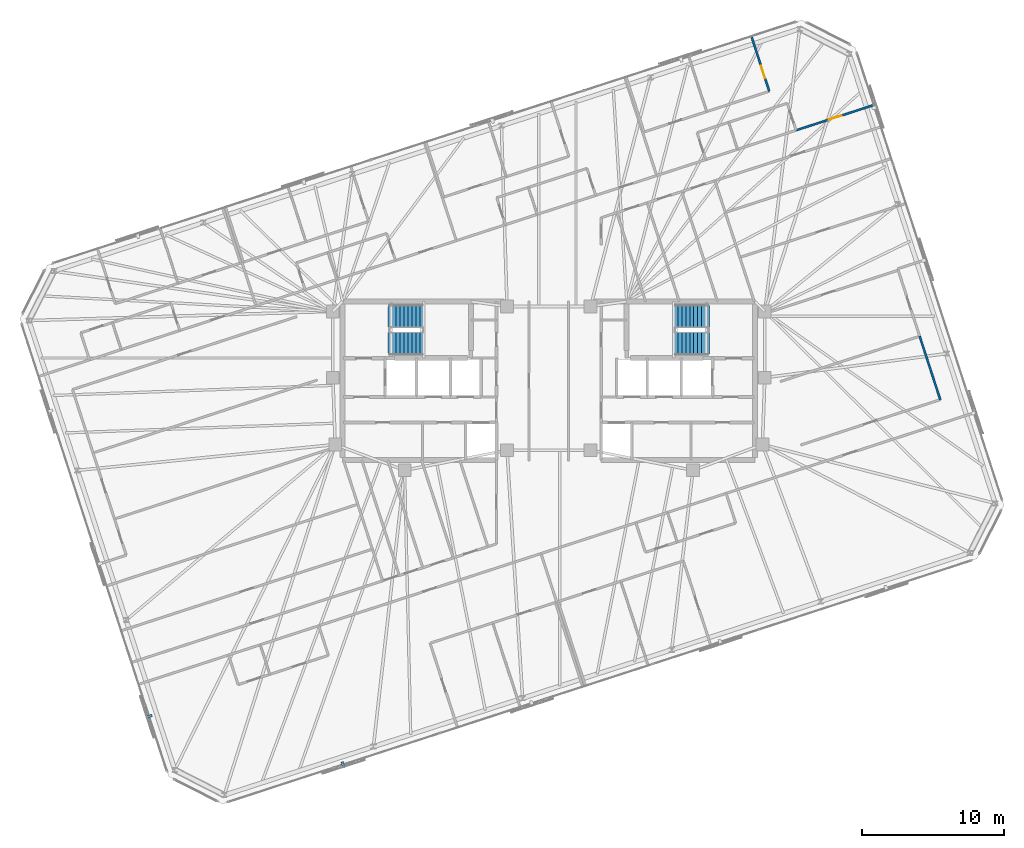
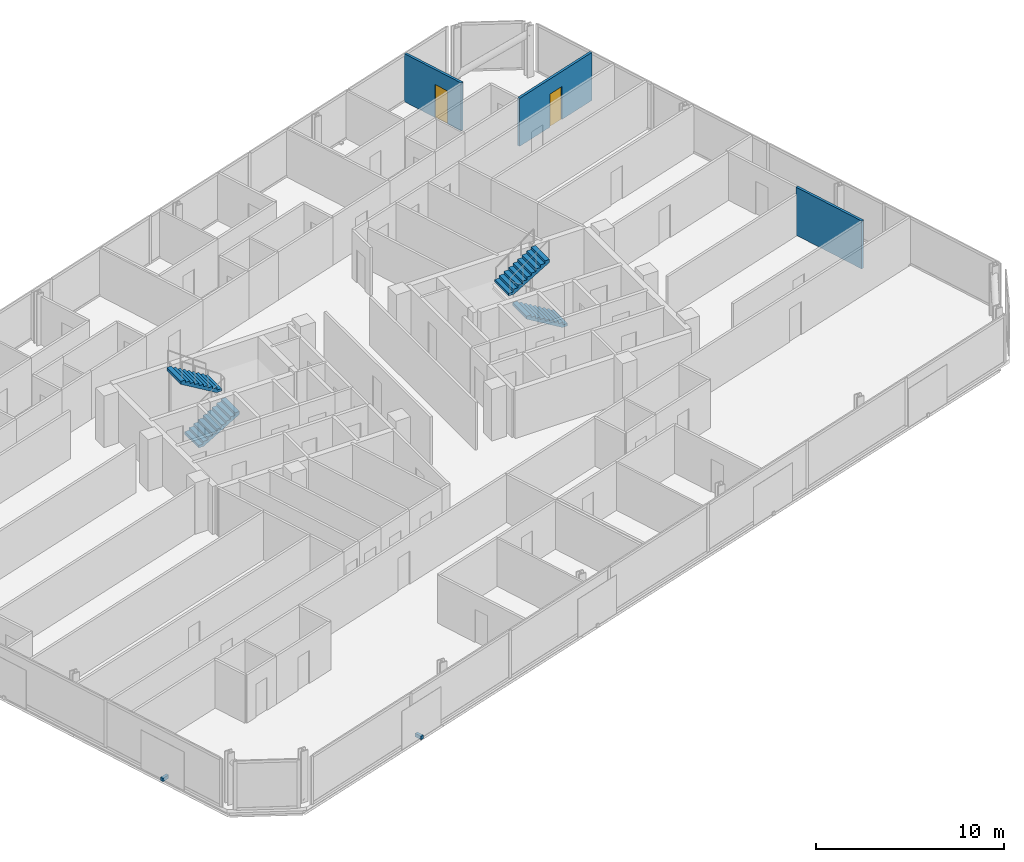
# One storey, part 18 of 20: 4 stair flights, 3 walls, 2 discrete accessories, 2 doors, 2 openings, 2 elements without a shape of their own.
"""IFC4 building model written with IfcOpenShell, lengths in metres."""

from ifc_helpers import new_model, si_unit, direction, frame, frame_2d, origin, origin_2d, place, context, subcontext, project, spatial, polyline, rectangle, outline, extrude, material, layer, layer_set, type_object, element, fill, aggregate, save


model = new_model("IFC4")

# Units and contexts
model_context = context("Model", 3, precision=1e-05, world=origin(), true_north=direction((0.0, 1.0)))
body_context = subcontext(model_context, "Body", "Model", "MODEL_VIEW")
ifc_project = project(units=[si_unit("LENGTHUNIT", "METRE"), si_unit("AREAUNIT", "SQUARE_METRE"), si_unit("VOLUMEUNIT", "CUBIC_METRE"), si_unit("PLANEANGLEUNIT", "RADIAN"), si_unit("MASSUNIT", "GRAM", prefix="KILO")], contexts=[model_context])

# Site, building, storey
site_placement = place(None, origin())
site = spatial("IfcSite", under=ifc_project, at=site_placement, CompositionType="ELEMENT")
building_placement = place(site_placement, origin())
building = spatial("IfcBuilding", under=site, at=building_placement, Name="Menara Jurai Vektor", CompositionType="ELEMENT")
storey_placement = place(building_placement, frame((0.0, 0.0, 244.39990234375)))
storey = spatial("IfcBuildingStorey", under=building, at=storey_placement, Name="L65", CompositionType="ELEMENT", Elevation=244.39990234375)

# Wall, opening, door
ifc_material_1 = material(Name="Gypsum Fireboard Partition", Category="gypsum")
ifc_layer = layer(ifc_material_1, 0.14990234375)
ifc_layer_set = layer_set([ifc_layer], Name="Gypsum Fireboard Partition")
wall_type = type_object("IfcWallType", Name="INT-WALL-CORR-150", PredefinedType="PARTITIONING", material=ifc_layer_set)
wall_1_placement = place(storey_placement, frame((17.4580078125, 17.687744140625, 0.0), z_axis=(0.0, 0.0, 1.0), x_axis=(0.951064183239, 0.308993396953, 0.0)))
wall_1 = element("IfcWall", 1, at=wall_1_placement, inside=storey, type_object=wall_type, Name="Interior Wall IW-150 L65", PredefinedType="PARTITIONING", context=body_context, shape_type="SweptSolid", body=[
    extrude(rectangle(XDim=5.778076171875, YDim=0.14990234375, at=frame_2d((2.88916015625, 0.0))), origin(), (0.0, 0.0, 1.0), 3.125),
])
opening_1_placement = place(wall_1_placement, frame((2.4140625, 0.0, 0.0)))
opening_1 = element("IfcOpeningElement", 2, at=opening_1_placement, cuts=wall_1, Name="Opening D65-24", PredefinedType="OPENING", context=body_context, shape_type="SweptSolid", body=[
    extrude(rectangle(XDim=0.949951171875, YDim=2.14990234375, at=frame_2d((0.47509765625, 1.074951171875))), frame((0.0, 0.0849609375, 0.0), z_axis=(0.0, -1.0, 0.0), x_axis=(1.0, 0.0, 0.0)), (0.0, 0.0, 1.0), 0.169921875),
])
ifc_material_2 = material(Name="Solid Core Timber Fire Door", Category="wood")
door_type_1 = type_object("IfcDoorType", Name="DR-ENTRY-950", OperationType="NOTDEFINED", PredefinedType="DOOR", material=ifc_material_2)
door_1_placement = place(opening_1_placement, origin())
door_1 = element("IfcDoor", 3, at=door_1_placement, inside=storey, type_object=door_type_1, Name="Interior Door D65-24", OperationType="SINGLE_SWING_LEFT", OverallHeight=2.14990234375, OverallWidth=0.949951171875, PredefinedType="DOOR", context=body_context, shape_type="SweptSolid", body=[
    extrude(rectangle(XDim=0.949951171875, YDim=2.14990234375, at=frame_2d((0.47509765625, 1.074951171875))), frame((0.0, 0.02490234375, 0.0), z_axis=(0.0, -1.0, 0.0), x_axis=(1.0, 0.0, 0.0)), (0.0, 0.0, 1.0), 0.050048828125),
])
fill(opening_1, door_1)

# Wall
wall_2_placement = place(storey_placement, frame((27.63671875, -1.331787109375, 0.0), z_axis=(0.0, 0.0, 1.0), x_axis=(-0.309029776355, 0.951052363083, 0.0)))
element("IfcWall", 4, at=wall_2_placement, inside=storey, type_object=wall_type, Name="Interior Wall IW-150 L65", PredefinedType="PARTITIONING", context=body_context, shape_type="SweptSolid", body=[
    extrude(rectangle(XDim=4.70703125, YDim=0.14990234375, at=frame_2d((2.353515625, 0.0))), origin(), (0.0, 0.0, 1.0), 3.125),
])

# Wall, opening, door
wall_3_placement = place(storey_placement, frame((15.564208984375, 20.442138671875, 0.0), z_axis=(0.0, 0.0, 1.0), x_axis=(-0.309018403393, 0.951056058476, 0.0)))
wall_3 = element("IfcWall", 5, at=wall_3_placement, inside=storey, type_object=wall_type, Name="Interior Wall IW-150 L65", PredefinedType="PARTITIONING", context=body_context, shape_type="SweptSolid", body=[
    extrude(rectangle(XDim=4.0791015625, YDim=0.14990234375, at=frame_2d((2.03955078125, 0.0))), origin(), (0.0, 0.0, 1.0), 3.125),
])
opening_2_placement = place(wall_3_placement, frame((0.977783203125, 0.0, 0.0)))
opening_2 = element("IfcOpeningElement", 6, at=opening_2_placement, cuts=wall_3, Name="Opening D65-28", PredefinedType="OPENING", context=body_context, shape_type="SweptSolid", body=[
    extrude(rectangle(XDim=0.89990234375, YDim=2.14990234375, at=frame_2d((0.449951171875, 1.074951171875))), frame((0.0, 0.0849609375, 0.0), z_axis=(0.0, -1.0, 0.0), x_axis=(1.0, 0.0, 0.0)), (0.0, 0.0, 1.0), 0.169921875),
])
ifc_material_3 = material(Name="Acoustic Timber Interior Door", Category="wood")
door_type_2 = type_object("IfcDoorType", Name="DR-ROOM-900", OperationType="NOTDEFINED", PredefinedType="DOOR", material=ifc_material_3)
door_2_placement = place(opening_2_placement, origin())
door_2 = element("IfcDoor", 7, at=door_2_placement, inside=storey, type_object=door_type_2, Name="Interior Door D65-28", OperationType="SINGLE_SWING_LEFT", OverallHeight=2.14990234375, OverallWidth=0.89990234375, PredefinedType="DOOR", context=body_context, shape_type="SweptSolid", body=[
    extrude(rectangle(XDim=0.89990234375, YDim=2.14990234375, at=frame_2d((0.449951171875, 1.074951171875))), frame((0.0, 0.02490234375, 0.0), z_axis=(0.0, -1.0, 0.0), x_axis=(1.0, 0.0, 0.0)), (0.0, 0.0, 1.0), 0.050048828125),
])
fill(opening_2, door_2)

# Stair, stair flights
ifc_material_4 = material(Name="Concrete C40/50", Category="concrete")
stair_type = type_object("IfcStairType", Name="STAIR-DOGLEG-1500", PredefinedType="HALF_TURN_STAIR", material=ifc_material_4)
stair_1_placement = place(storey_placement, origin())
stair_1 = element("IfcStair", 8, at=stair_1_placement, inside=storey, type_object=stair_type, Name="Protected Exit Stair ST1 L65", PredefinedType="HALF_TURN_STAIR")
stair_flight_type = type_object("IfcStairFlightType", Name="STAIR-FLIGHT-1500", PredefinedType="STRAIGHT", material=ifc_material_4)
stair_flight_1_placement = place(storey_placement, frame((-11.35009765625, 2.64990234375, 0.0), z_axis=(0.0, 0.0, 1.0), x_axis=(1.0, 0.0, 0.0)))
stair_flight_1 = element("IfcStairFlight", 9, at=stair_flight_1_placement, type_object=stair_flight_type, Name="ST1 flight 1", NumberOfRisers=10, NumberOfTreads=9, PredefinedType="STRAIGHT", RiserHeight=0.1675, TreadLength=0.28, context=body_context, shape_type="SweptSolid", body=[
    extrude(outline(polyline([(0.0, 0.0), (0.0, 0.16748046875), (0.280029296875, 0.16748046875), (0.280029296875, 0.3349609375), (0.56005859375, 0.3349609375), (0.56005859375, 0.50244140625), (0.840087890625, 0.50244140625), (0.840087890625, 0.669921875), (1.1201171875, 0.669921875), (1.1201171875, 0.83740234375), (1.39990234375, 0.83740234375), (1.39990234375, 1.0048828125), (1.679931640625, 1.0048828125), (1.679931640625, 1.172607421875), (1.9599609375, 1.172607421875), (1.9599609375, 1.340087890625), (2.239990234375, 1.340087890625), (2.239990234375, 1.507568359375), (2.52001953125, 1.507568359375), (2.52001953125, 1.675048828125), (2.52001953125, 1.321044921875), (0.3115234375, 0.0), (0.0, 0.0)])), frame((0.0, 0.75, 0.0), z_axis=(0.0, -1.0, 0.0), x_axis=(1.0, 0.0, 0.0)), (0.0, 0.0, 1.0), 1.5),
])
stair_flight_2_placement = place(storey_placement, frame((-8.830078125, 4.550048828125, 1.675048828125), z_axis=(0.0, 0.0, 1.0), x_axis=(-1.0, 0.0, 0.0)))
stair_flight_2 = element("IfcStairFlight", 10, at=stair_flight_2_placement, type_object=stair_flight_type, Name="ST1 flight 2", NumberOfRisers=10, NumberOfTreads=9, PredefinedType="STRAIGHT", RiserHeight=0.1675, TreadLength=0.28, context=body_context, shape_type="SweptSolid", body=[
    extrude(outline(polyline([(0.0, 0.0), (0.0, 0.16748046875), (0.280029296875, 0.16748046875), (0.280029296875, 0.3349609375), (0.56005859375, 0.3349609375), (0.56005859375, 0.50244140625), (0.840087890625, 0.50244140625), (0.840087890625, 0.669921875), (1.1201171875, 0.669921875), (1.1201171875, 0.83740234375), (1.39990234375, 0.83740234375), (1.39990234375, 1.0048828125), (1.679931640625, 1.0048828125), (1.679931640625, 1.172607421875), (1.9599609375, 1.172607421875), (1.9599609375, 1.340087890625), (2.239990234375, 1.340087890625), (2.239990234375, 1.507568359375), (2.52001953125, 1.507568359375), (2.52001953125, 1.675048828125), (2.52001953125, 1.321044921875), (0.3115234375, 0.0), (0.0, 0.0)])), frame((0.0, 0.75, 0.0), z_axis=(0.0, -1.0, 0.0), x_axis=(1.0, 0.0, 0.0)), (0.0, 0.0, 1.0), 1.5),
])
aggregate(stair_1, [stair_flight_1, stair_flight_2])

stair_2_placement = place(storey_placement, origin())
stair_2 = element("IfcStair", 11, at=stair_2_placement, inside=storey, type_object=stair_type, Name="Protected Exit Stair ST2 L65", PredefinedType="HALF_TURN_STAIR")
stair_flight_3_placement = place(storey_placement, frame((11.35009765625, 2.64990234375, 0.0), z_axis=(0.0, 0.0, 1.0), x_axis=(-1.0, 0.0, 0.0)))
stair_flight_3 = element("IfcStairFlight", 12, at=stair_flight_3_placement, type_object=stair_flight_type, Name="ST2 flight 1", NumberOfRisers=10, NumberOfTreads=9, PredefinedType="STRAIGHT", RiserHeight=0.1675, TreadLength=0.28, context=body_context, shape_type="SweptSolid", body=[
    extrude(outline(polyline([(0.0, 0.0), (0.0, 0.16748046875), (0.280029296875, 0.16748046875), (0.280029296875, 0.3349609375), (0.56005859375, 0.3349609375), (0.56005859375, 0.50244140625), (0.840087890625, 0.50244140625), (0.840087890625, 0.669921875), (1.1201171875, 0.669921875), (1.1201171875, 0.83740234375), (1.39990234375, 0.83740234375), (1.39990234375, 1.0048828125), (1.679931640625, 1.0048828125), (1.679931640625, 1.172607421875), (1.9599609375, 1.172607421875), (1.9599609375, 1.340087890625), (2.239990234375, 1.340087890625), (2.239990234375, 1.507568359375), (2.52001953125, 1.507568359375), (2.52001953125, 1.675048828125), (2.52001953125, 1.321044921875), (0.3115234375, 0.0), (0.0, 0.0)])), frame((0.0, 0.75, 0.0), z_axis=(0.0, -1.0, 0.0), x_axis=(1.0, 0.0, 0.0)), (0.0, 0.0, 1.0), 1.5),
])
stair_flight_4_placement = place(storey_placement, frame((8.830078125, 4.550048828125, 1.675048828125), z_axis=(0.0, 0.0, 1.0), x_axis=(1.0, 0.0, 0.0)))
stair_flight_4 = element("IfcStairFlight", 13, at=stair_flight_4_placement, type_object=stair_flight_type, Name="ST2 flight 2", NumberOfRisers=10, NumberOfTreads=9, PredefinedType="STRAIGHT", RiserHeight=0.1675, TreadLength=0.28, context=body_context, shape_type="SweptSolid", body=[
    extrude(outline(polyline([(0.0, 0.0), (0.0, 0.16748046875), (0.280029296875, 0.16748046875), (0.280029296875, 0.3349609375), (0.56005859375, 0.3349609375), (0.56005859375, 0.50244140625), (0.840087890625, 0.50244140625), (0.840087890625, 0.669921875), (1.1201171875, 0.669921875), (1.1201171875, 0.83740234375), (1.39990234375, 0.83740234375), (1.39990234375, 1.0048828125), (1.679931640625, 1.0048828125), (1.679931640625, 1.172607421875), (1.9599609375, 1.172607421875), (1.9599609375, 1.340087890625), (2.239990234375, 1.340087890625), (2.239990234375, 1.507568359375), (2.52001953125, 1.507568359375), (2.52001953125, 1.675048828125), (2.52001953125, 1.321044921875), (0.3115234375, 0.0), (0.0, 0.0)])), frame((0.0, 0.75, 0.0), z_axis=(0.0, -1.0, 0.0), x_axis=(1.0, 0.0, 0.0)), (0.0, 0.0, 1.0), 1.5),
])
aggregate(stair_2, [stair_flight_3, stair_flight_4])

# Discrete accessories
ifc_material_5 = material(Name="Steel S355", Category="steel")
discrete_accessory_type = type_object("IfcDiscreteAccessoryType", Name="ENV-ACC-BRACKET", PredefinedType="BRACKET", material=ifc_material_5)
for number, where, z_axis, x_axis, name in (
    (14, (-14.524658203125, -27.1142578125, -0.1298828125), (0.0, 0.0, 1.0), (0.951056516295, 0.309016994375, 0.0), "Solar Screen Stand-Off Bracket L65-S01"),
    (15, (-28.222412109375, -23.693115234375, -0.1298828125), (0.0, 0.0, 1.0), (0.309016994375, -0.951056516295, 0.0), "Solar Screen Stand-Off Bracket L65-S14"),
):
    element("IfcDiscreteAccessory", number, at=place(storey_placement, frame(where, z_axis=z_axis, x_axis=x_axis)), inside=storey, type_object=discrete_accessory_type, Name=name, PredefinedType="BRACKET", context=body_context, shape_type="SweptSolid", body=[
        extrude(rectangle(XDim=0.179931640625, YDim=0.43994140625, at=origin_2d()), origin(), (0.0, 0.0, 1.0), 0.219970703125),
    ])

save(model, "model.ifc")
